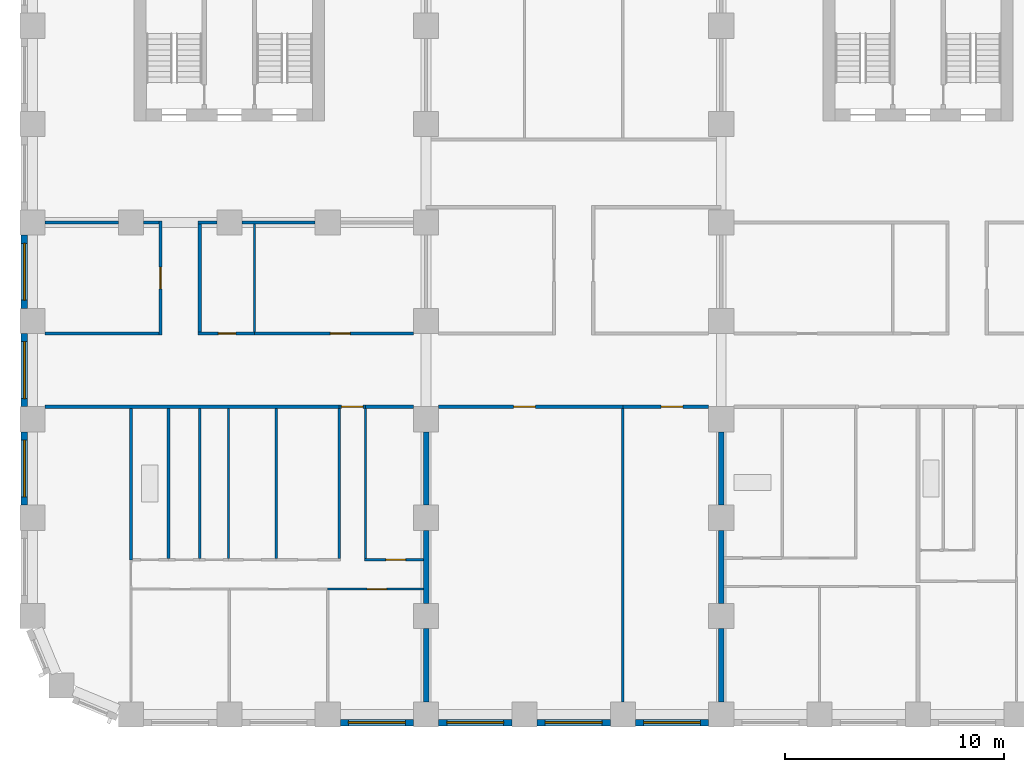
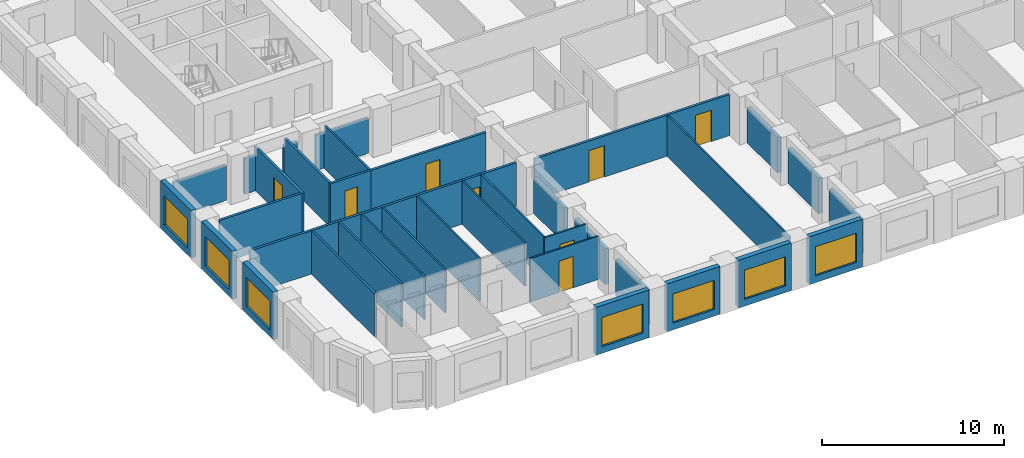
# One storey, part 3 of 13: 38 walls, 8 doors, 7 windows, 15 openings.
"""IFC4 building model written with IfcOpenShell, lengths in metres."""

import ifcopenshell
import ifcopenshell.guid

model = None  # the IFC model being written
_history = None  # IfcOwnerHistory: only IFC2X3 demands one
_inside = {}  # id of a spatial element -> (the spatial element, [elements in it])
_under = {}  # id of a project, library or spatial element -> (it, [spatial elements below it])
_declared = {}  # id of a project -> (the project, [libraries it declares])
_typed = {}  # id of a type object -> (the type object, [elements of that type])
_made_of = {}  # id of a material, layer set ... -> (it, [elements and type objects made of it])


def new_model(schema):
    """Start an empty IFC model of exactly this schema.

    Asked for "IFC4X3", IfcOpenShell would pick the latest addendum, in which some entities
    have other attributes; the version numbers below select the first issue.
    IFC2X3 requires an IfcOwnerHistory on every rooted entity: one is made here for all.
    """
    global model, _history
    if schema == "IFC4X3":
        model = ifcopenshell.file(schema_version=(4, 3, 0, 0))
    else:
        model = ifcopenshell.file(schema=schema)
    _inside.clear()
    _under.clear()
    _declared.clear()
    _typed.clear()
    _made_of.clear()
    _history = None
    if model.schema == "IFC2X3":
        org = make("IfcOrganization", Name="unknown")
        user = make(
            "IfcPersonAndOrganization",
            ThePerson=make("IfcPerson", FamilyName="unknown"),
            TheOrganization=org,
        )
        app = make(
            "IfcApplication",
            ApplicationDeveloper=org,
            Version="unknown",
            ApplicationFullName="unknown",
            ApplicationIdentifier="unknown",
        )
        _history = make(
            "IfcOwnerHistory",
            OwningUser=user,
            OwningApplication=app,
            ChangeAction="ADDED",
            CreationDate=0,
        )
    return model


def make(cls, **values):
    """One entity of the class cls with the attributes given. An attribute that is None is left unset."""
    return model.create_entity(
        cls, **{name: value for name, value in values.items() if value is not None}
    )


def rooted(cls, **values):
    """An entity with a GlobalId (a new one), such as an element, a storey or a relation."""
    return make(cls, GlobalId=ifcopenshell.guid.new(), OwnerHistory=_history, **values)


def si_unit(unit_type, name, prefix=None):
    """IfcSIUnit, for example si_unit("LENGTHUNIT", "METRE", prefix="MILLI")."""
    return make("IfcSIUnit", UnitType=unit_type, Prefix=prefix, Name=name)


def assignment(units):
    """IfcUnitAssignment: the units of a project."""
    return None if units is None else make("IfcUnitAssignment", Units=units)


def point(xyz):
    """IfcCartesianPoint."""
    return None if xyz is None else make("IfcCartesianPoint", Coordinates=xyz)


def direction(xyz):
    """IfcDirection."""
    return None if xyz is None else make("IfcDirection", DirectionRatios=xyz)


def frame(location, z_axis=None, x_axis=None):
    """IfcAxis2Placement3D, a coordinate frame: its origin and axes. An axis left out is left unset."""
    return make(
        "IfcAxis2Placement3D",
        Location=point(location),
        Axis=direction(z_axis),
        RefDirection=direction(x_axis),
    )


def frame_2d(location, x_axis=None):
    """IfcAxis2Placement2D, a coordinate frame in the plane: its origin and x axis."""
    return make(
        "IfcAxis2Placement2D", Location=point(location), RefDirection=direction(x_axis)
    )


def origin():
    """The frame at (0, 0, 0) with its axes left unset."""
    return frame((0.0, 0.0, 0.0))


def place(relative_to, where):
    """IfcLocalPlacement: puts the frame where relative to a parent placement (None: the world)."""
    return make(
        "IfcLocalPlacement", PlacementRelTo=relative_to, RelativePlacement=where
    )


def context(
    kind, dimensions, precision=None, world=None, true_north=None, identifier=None
):
    """IfcGeometricRepresentationContext, for example the 3D "Model" context."""
    return make(
        "IfcGeometricRepresentationContext",
        ContextIdentifier=identifier,
        ContextType=kind,
        CoordinateSpaceDimension=dimensions,
        Precision=precision,
        WorldCoordinateSystem=world,
        TrueNorth=true_north,
    )


def subcontext(parent, identifier, kind, view, scale=None):
    """IfcGeometricRepresentationSubContext, for example "Body" below "Model"."""
    return make(
        "IfcGeometricRepresentationSubContext",
        ContextIdentifier=identifier,
        ContextType=kind,
        ParentContext=parent,
        TargetScale=scale,
        TargetView=view,
    )


def project(units=None, contexts=None):
    """IfcProject with its units and contexts."""
    return rooted(
        "IfcProject",
        Name="project",
        RepresentationContexts=contexts,
        UnitsInContext=assignment(units),
    )


def spatial(cls, under=None, at=None, **own):
    """A site, building, storey or space (cls), placed at a placement, below another one or the project."""
    s = rooted(cls, ObjectPlacement=at, **own)
    if under is not None:
        _under.setdefault(under.id(), (under, []))[1].append(s)
    return s


def profile(cls, at=None, kind="AREA", **sizes):
    """A parametric profile (cls). Its sizes go by their IFC names, for example OverallWidth=200.0."""
    return make(cls, ProfileType=kind, Position=at, **sizes)


def rectangle(**sizes):
    """IfcRectangleProfileDef."""
    return profile("IfcRectangleProfileDef", **sizes)


def extrude(swept, where, along, depth):
    """IfcExtrudedAreaSolid: the profile swept, set in the frame where, extruded along a direction by depth."""
    return make(
        "IfcExtrudedAreaSolid",
        SweptArea=swept,
        Position=where,
        ExtrudedDirection=direction(along),
        Depth=depth,
    )


def shape(context_of_items, identifier, shape_type, items):
    """IfcShapeRepresentation: the items that make up one representation, for example the "Body"."""
    return make(
        "IfcShapeRepresentation",
        ContextOfItems=context_of_items,
        RepresentationIdentifier=identifier,
        RepresentationType=shape_type,
        Items=items,
    )


def material(Name=None, Category=None):
    """IfcMaterial."""
    return make("IfcMaterial", Name=Name, Category=Category)


def layer(
    of_material, thickness, ventilated=None, Name=None, Category=None, Priority=None
):
    """IfcMaterialLayer: one layer of a wall or slab, of a material (None: an air gap)."""
    return make(
        "IfcMaterialLayer",
        Material=of_material,
        LayerThickness=thickness,
        IsVentilated=ventilated,
        Name=Name,
        Category=Category,
        Priority=Priority,
    )


def layer_set(layers, Name=None):
    """IfcMaterialLayerSet."""
    return make("IfcMaterialLayerSet", MaterialLayers=layers, LayerSetName=Name)


def made_of(thing, what):
    """Note that an element or type object is made of a material, layer set ...; save() writes the relation."""
    if what is not None:
        _made_of.setdefault(what.id(), (what, []))[1].append(thing)
    return thing


def type_object(cls, material=None, **own):
    """A type object (cls), such as IfcWallType, which elements share."""
    return made_of(rooted(cls, **own), material)


def element(
    cls,
    number,
    at=None,
    inside=None,
    cuts=None,
    type_object=None,
    material=None,
    context=None,
    identifier="Body",
    shape_type=None,
    held_by="IfcProductDefinitionShape",
    body=None,
    shapes=None,
    **own,
):
    """One element of the class cls, such as IfcWall. Its Tag is "e" and its number.

    at: its placement. inside: the storey or other place that contains it. cuts: it is an
    opening in that element (IfcRelVoidsElement). A single representation is given by context,
    identifier, shape_type and body (its items); several are given by shapes. held_by: the class
    of the entity that holds the representations. save() writes the other relations.
    """
    e = rooted(cls, Tag="e%d" % number, ObjectPlacement=at, **own)
    if body is not None:
        shapes = [shape(context, identifier, shape_type, body)]
    if shapes is not None:
        e.Representation = make(held_by, Representations=shapes)
    if inside is not None:
        _inside.setdefault(inside.id(), (inside, []))[1].append(e)
    if cuts is not None:
        rooted(
            "IfcRelVoidsElement", RelatingBuildingElement=cuts, RelatedOpeningElement=e
        )
    if type_object is not None:
        _typed.setdefault(type_object.id(), (type_object, []))[1].append(e)
    return made_of(e, material)


def fill(opening, filler):
    """IfcRelFillsElement: the door or window that sits in an opening."""
    return rooted(
        "IfcRelFillsElement",
        RelatingOpeningElement=opening,
        RelatedBuildingElement=filler,
    )


def aggregate(whole, parts):
    """IfcRelAggregates: a whole, such as a stair, and the parts it consists of."""
    return rooted("IfcRelAggregates", RelatingObject=whole, RelatedObjects=parts)


def save(model, path):
    """Write the relations noted so far, then the file.

    IfcRelAggregates (storeys below a building ...), IfcRelContainedInSpatialStructure (elements
    in a storey), IfcRelDefinesByType, IfcRelAssociatesMaterial and IfcRelDeclares: one each for
    every whole, place, type object, material and project.
    """
    for whole, parts in _under.values():
        aggregate(whole, parts)
    for where, things in _inside.values():
        rooted(
            "IfcRelContainedInSpatialStructure",
            RelatedElements=things,
            RelatingStructure=where,
        )
    for kind, things in _typed.values():
        rooted("IfcRelDefinesByType", RelatedObjects=things, RelatingType=kind)
    for what, things in _made_of.values():
        rooted("IfcRelAssociatesMaterial", RelatedObjects=things, RelatingMaterial=what)
    for by, libraries in _declared.values():
        rooted("IfcRelDeclares", RelatingContext=by, RelatedDefinitions=libraries)
    model.write(path)


model = new_model("IFC4")

# Units and contexts
model_context = context("Model", 3, precision=1e-05, world=origin(), true_north=direction((0.0, 1.0)))
body_context = subcontext(model_context, "Body", "Model", "MODEL_VIEW")
ifc_project = project(units=[si_unit("LENGTHUNIT", "METRE"), si_unit("AREAUNIT", "SQUARE_METRE"), si_unit("VOLUMEUNIT", "CUBIC_METRE"), si_unit("PLANEANGLEUNIT", "RADIAN"), si_unit("MASSUNIT", "GRAM", prefix="KILO")], contexts=[model_context])

# Site, building, storey
site_placement = place(None, origin())
site = spatial("IfcSite", under=ifc_project, at=site_placement, CompositionType="ELEMENT")
building_placement = place(site_placement, origin())
building = spatial("IfcBuilding", under=site, at=building_placement, Name="Girih Gate Residences", CompositionType="ELEMENT")
storey_placement = place(building_placement, frame((0.0, 0.0, 105.60009765625)))
storey = spatial("IfcBuildingStorey", under=building, at=storey_placement, Name="L29", CompositionType="ELEMENT", Elevation=105.60009765625)

# Walls
ifc_material_1 = material(Name="Gypsum board on steel studs", Category="steel")
ifc_layer_1 = layer(ifc_material_1, 0.25)
ifc_layer_set_1 = layer_set([ifc_layer_1], Name="Acoustic separating wall 250 mm")
wall_type_1 = type_object("IfcWallType", Name="Acoustic separating wall 250 mm", PredefinedType="PARTITIONING", material=ifc_layer_set_1)
for number, where, z_axis, x_axis, name in (
    (1, (18.0, 5.074951171875, 0.0), (0.0, 0.0, 1.0), (0.0, 1.0, 0.0), "L29 partition"),
    (2, (18.0, 0.574951171875, 0.0), (0.0, 0.0, 1.0), (0.0, 1.0, 0.0), "L29 partition"),
    (3, (18.0, 9.574951171875, 0.0), (0.0, 0.0, 1.0), (0.0, 1.0, 0.0), "L29 partition"),
    (4, (31.5, 9.574951171875, 0.0), (0.0, 0.0, 1.0), (0.0, 1.0, 0.0), "L29 partition"),
    (5, (31.5, 0.574951171875, 0.0), (0.0, 0.0, 1.0), (0.0, 1.0, 0.0), "L29 partition"),
    (6, (31.5, 5.074951171875, 0.0), (0.0, 0.0, 1.0), (0.0, 1.0, 0.0), "L29 partition"),
):
    element("IfcWall", number, at=place(storey_placement, frame(where, z_axis=z_axis, x_axis=x_axis)), inside=storey, type_object=wall_type_1, Name=name, PredefinedType="PARTITIONING", context=body_context, shape_type="SweptSolid", body=[
        extrude(rectangle(XDim=3.35009765625, YDim=0.25, at=frame_2d((1.675048828125, 0.0))), origin(), (0.0, 0.0, 1.0), 2.3798828125),
    ])

# Wall, opening, door
ifc_layer_2 = layer(ifc_material_1, 0.14990234375)
ifc_layer_set_2 = layer_set([ifc_layer_2], Name="Compartment wall 150 mm")
wall_type_2 = type_object("IfcWallType", Name="Compartment wall 150 mm", PredefinedType="PARTITIONING", material=ifc_layer_set_2)
wall_1_placement = place(storey_placement, frame((15.22509765625, 14.074951171875, 0.0), z_axis=(0.0, 0.0, 1.0), x_axis=(-1.0, 0.0, 0.0)))
wall_1 = element("IfcWall", 7, at=wall_1_placement, inside=storey, type_object=wall_type_2, Name="L29 partition", PredefinedType="PARTITIONING", context=body_context, shape_type="SweptSolid", body=[
    extrude(rectangle(XDim=1.2001953125, YDim=0.14990234375, at=frame_2d((0.60009765625, 0.0))), origin(), (0.0, 0.0, 1.0), 2.89990234375),
])
opening_1_placement = place(wall_1_placement, frame((0.10009765625, 0.0, 0.0)))
opening_1 = element("IfcOpeningElement", 8, at=opening_1_placement, cuts=wall_1, Name="Opening A29-011", PredefinedType="OPENING", context=body_context, shape_type="SweptSolid", body=[
    extrude(rectangle(XDim=1.0, YDim=2.10009765625, at=frame_2d((0.5, 1.050048828125))), frame((0.0, 0.0849609375, 0.0), z_axis=(0.0, -1.0, 0.0), x_axis=(1.0, 0.0, 0.0)), (0.0, 0.0, 1.0), 0.169921875),
])
ifc_material_2 = material(Name="Timber, fire-rated core", Category="wood")
door_type_1 = type_object("IfcDoorType", Name="Flat entrance door 1000x2100 FD30S", OperationType="NOTDEFINED", PredefinedType="DOOR", material=ifc_material_2)
door_1_placement = place(opening_1_placement, origin())
door_1 = element("IfcDoor", 9, at=door_1_placement, inside=storey, type_object=door_type_1, Name="Door A29-011", OperationType="SINGLE_SWING_RIGHT", OverallHeight=2.10009765625, OverallWidth=1.0, PredefinedType="DOOR", context=body_context, shape_type="SweptSolid", body=[
    extrude(rectangle(XDim=1.0, YDim=2.10009765625, at=frame_2d((0.5, 1.050048828125))), frame((0.0, 0.02490234375, 0.0), z_axis=(0.0, -1.0, 0.0), x_axis=(1.0, 0.0, 0.0)), (0.0, 0.0, 1.0), 0.050048828125),
])
fill(opening_1, door_1)

# Walls
wall_2_placement = place(storey_placement, frame((15.22509765625, 14.074951171875, 0.0), z_axis=(0.0, 0.0, 1.0), x_axis=(1.0, 0.0, 0.0)))
element("IfcWall", 10, at=wall_2_placement, inside=storey, type_object=wall_type_2, Name="L29 partition", PredefinedType="PARTITIONING", context=body_context, shape_type="SweptSolid", body=[
    extrude(rectangle(XDim=2.199951171875, YDim=0.14990234375, at=frame_2d((1.10009765625, 0.0))), origin(), (0.0, 0.0, 1.0), 2.89990234375),
])
wall_3_placement = place(storey_placement, frame((0.574951171875, 14.074951171875, 0.0), z_axis=(0.0, 0.0, 1.0), x_axis=(1.0, 0.0, 0.0)))
element("IfcWall", 11, at=wall_3_placement, inside=storey, type_object=wall_type_2, Name="L29 partition", PredefinedType="PARTITIONING", context=body_context, shape_type="SweptSolid", body=[
    extrude(rectangle(XDim=13.449951171875, YDim=0.14990234375, at=frame_2d((6.72509765625, 0.0))), origin(), (0.0, 0.0, 1.0), 2.89990234375),
])

# Wall, opening, door
wall_4_placement = place(storey_placement, frame((27.0, 14.074951171875, 0.0), z_axis=(0.0, 0.0, 1.0), x_axis=(-1.0, 0.0, 0.0)))
wall_4 = element("IfcWall", 12, at=wall_4_placement, inside=storey, type_object=wall_type_2, Name="L29 partition", PredefinedType="PARTITIONING", context=body_context, shape_type="SweptSolid", body=[
    extrude(rectangle(XDim=8.425048828125, YDim=0.14990234375, at=frame_2d((4.21240234375, 0.0))), origin(), (0.0, 0.0, 1.0), 2.75),
])
opening_2_placement = place(wall_4_placement, frame((4.0, 0.0, 0.0)))
opening_2 = element("IfcOpeningElement", 13, at=opening_2_placement, cuts=wall_4, Name="Opening A29-046", PredefinedType="OPENING", context=body_context, shape_type="SweptSolid", body=[
    extrude(rectangle(XDim=1.0, YDim=2.10009765625, at=frame_2d((0.5, 1.050048828125))), frame((0.0, 0.0849609375, 0.0), z_axis=(0.0, -1.0, 0.0), x_axis=(1.0, 0.0, 0.0)), (0.0, 0.0, 1.0), 0.169921875),
])
door_type_2 = type_object("IfcDoorType", Name="Amenity room door 1000x2100 FD30S", OperationType="NOTDEFINED", PredefinedType="DOOR", material=ifc_material_2)
door_2_placement = place(opening_2_placement, origin())
door_2 = element("IfcDoor", 14, at=door_2_placement, inside=storey, type_object=door_type_2, Name="Door A29-046", OperationType="SINGLE_SWING_RIGHT", OverallHeight=2.10009765625, OverallWidth=1.0, PredefinedType="DOOR", context=body_context, shape_type="SweptSolid", body=[
    extrude(rectangle(XDim=1.0, YDim=2.10009765625, at=frame_2d((0.5, 1.050048828125))), frame((0.0, 0.02490234375, 0.0), z_axis=(0.0, -1.0, 0.0), x_axis=(1.0, 0.0, 0.0)), (0.0, 0.0, 1.0), 0.050048828125),
])
fill(opening_2, door_2)

wall_5_placement = place(storey_placement, frame((30.925048828125, 14.074951171875, 0.0), z_axis=(0.0, 0.0, 1.0), x_axis=(-1.0, 0.0, 0.0)))
wall_5 = element("IfcWall", 15, at=wall_5_placement, inside=storey, type_object=wall_type_2, Name="L29 partition", PredefinedType="PARTITIONING", context=body_context, shape_type="SweptSolid", body=[
    extrude(rectangle(XDim=3.925048828125, YDim=0.14990234375, at=frame_2d((1.96240234375, 0.0))), origin(), (0.0, 0.0, 1.0), 2.75),
])
opening_3_placement = place(wall_5_placement, frame((1.175048828125, 0.0, 0.0)))
opening_3 = element("IfcOpeningElement", 16, at=opening_3_placement, cuts=wall_5, Name="Opening A29-047", PredefinedType="OPENING", context=body_context, shape_type="SweptSolid", body=[
    extrude(rectangle(XDim=1.0, YDim=2.10009765625, at=frame_2d((0.5, 1.050048828125))), frame((0.0, 0.0849609375, 0.0), z_axis=(0.0, -1.0, 0.0), x_axis=(1.0, 0.0, 0.0)), (0.0, 0.0, 1.0), 0.169921875),
])
door_3_placement = place(opening_3_placement, origin())
door_3 = element("IfcDoor", 17, at=door_3_placement, inside=storey, type_object=door_type_2, Name="Door A29-047", OperationType="SINGLE_SWING_LEFT", OverallHeight=2.10009765625, OverallWidth=1.0, PredefinedType="DOOR", context=body_context, shape_type="SweptSolid", body=[
    extrude(rectangle(XDim=1.0, YDim=2.10009765625, at=frame_2d((0.5, 1.050048828125))), frame((0.0, 0.02490234375, 0.0), z_axis=(0.0, -1.0, 0.0), x_axis=(1.0, 0.0, 0.0)), (0.0, 0.0, 1.0), 0.050048828125),
])
fill(opening_3, door_3)

wall_6_placement = place(storey_placement, frame((10.14990234375, 17.425048828125, 0.0), z_axis=(0.0, 0.0, 1.0), x_axis=(1.0, 0.0, 0.0)))
wall_6 = element("IfcWall", 18, at=wall_6_placement, inside=storey, type_object=wall_type_2, Name="L29 partition", PredefinedType="PARTITIONING", context=body_context, shape_type="SweptSolid", body=[
    extrude(rectangle(XDim=7.275146484375, YDim=0.14990234375, at=frame_2d((3.6376953125, 0.0))), origin(), (0.0, 0.0, 1.0), 2.89990234375),
])
opening_4_placement = place(wall_6_placement, frame((3.47509765625, 0.0, 0.0)))
opening_4 = element("IfcOpeningElement", 19, at=opening_4_placement, cuts=wall_6, Name="Opening A29-051", PredefinedType="OPENING", context=body_context, shape_type="SweptSolid", body=[
    extrude(rectangle(XDim=0.89990234375, YDim=2.10009765625, at=frame_2d((0.449951171875, 1.050048828125))), frame((0.0, 0.0849609375, 0.0), z_axis=(0.0, -1.0, 0.0), x_axis=(1.0, 0.0, 0.0)), (0.0, 0.0, 1.0), 0.169921875),
])
ifc_material_3 = material(Name="Timber", Category="wood")
door_type_3 = type_object("IfcDoorType", Name="Service room door 900x2100", OperationType="NOTDEFINED", PredefinedType="DOOR", material=ifc_material_3)
door_4_placement = place(opening_4_placement, origin())
door_4 = element("IfcDoor", 20, at=door_4_placement, inside=storey, type_object=door_type_3, Name="Door A29-051", OperationType="SINGLE_SWING_RIGHT", OverallHeight=2.10009765625, OverallWidth=0.89990234375, PredefinedType="DOOR", context=body_context, shape_type="SweptSolid", body=[
    extrude(rectangle(XDim=0.89990234375, YDim=2.10009765625, at=frame_2d((0.449951171875, 1.050048828125))), frame((0.0, 0.02490234375, 0.0), z_axis=(0.0, -1.0, 0.0), x_axis=(1.0, 0.0, 0.0)), (0.0, 0.0, 1.0), 0.050048828125),
])
fill(opening_4, door_4)

wall_7_placement = place(storey_placement, frame((7.574951171875, 17.425048828125, 0.0), z_axis=(0.0, 0.0, 1.0), x_axis=(1.0, 0.0, 0.0)))
wall_7 = element("IfcWall", 21, at=wall_7_placement, inside=storey, type_object=wall_type_2, Name="L29 partition", PredefinedType="PARTITIONING", context=body_context, shape_type="SweptSolid", body=[
    extrude(rectangle(XDim=2.574951171875, YDim=0.14990234375, at=frame_2d((1.28759765625, 0.0))), origin(), (0.0, 0.0, 1.0), 2.89990234375),
])
opening_5_placement = place(wall_7_placement, frame((0.925048828125, 0.0, 0.0)))
opening_5 = element("IfcOpeningElement", 22, at=opening_5_placement, cuts=wall_7, Name="Opening A29-053", PredefinedType="OPENING", context=body_context, shape_type="SweptSolid", body=[
    extrude(rectangle(XDim=0.800048828125, YDim=2.10009765625, at=frame_2d((0.39990234375, 1.050048828125))), frame((0.0, 0.0849609375, 0.0), z_axis=(0.0, -1.0, 0.0), x_axis=(1.0, 0.0, 0.0)), (0.0, 0.0, 1.0), 0.169921875),
])
door_type_4 = type_object("IfcDoorType", Name="Bathroom door 800x2100", OperationType="NOTDEFINED", PredefinedType="DOOR", material=ifc_material_3)
door_5_placement = place(opening_5_placement, origin())
door_5 = element("IfcDoor", 23, at=door_5_placement, inside=storey, type_object=door_type_4, Name="Door A29-053", OperationType="SINGLE_SWING_RIGHT", OverallHeight=2.10009765625, OverallWidth=0.800048828125, PredefinedType="DOOR", context=body_context, shape_type="SweptSolid", body=[
    extrude(rectangle(XDim=0.800048828125, YDim=2.10009765625, at=frame_2d((0.39990234375, 1.050048828125))), frame((0.0, 0.02490234375, 0.0), z_axis=(0.0, -1.0, 0.0), x_axis=(1.0, 0.0, 0.0)), (0.0, 0.0, 1.0), 0.050048828125),
])
fill(opening_5, door_5)

# Walls
wall_8_placement = place(storey_placement, frame((0.574951171875, 17.425048828125, 0.0), z_axis=(0.0, 0.0, 1.0), x_axis=(1.0, 0.0, 0.0)))
element("IfcWall", 24, at=wall_8_placement, inside=storey, type_object=wall_type_2, Name="L29 partition", PredefinedType="PARTITIONING", context=body_context, shape_type="SweptSolid", body=[
    extrude(rectangle(XDim=5.199951171875, YDim=0.14990234375, at=frame_2d((2.60009765625, 0.0))), origin(), (0.0, 0.0, 1.0), 2.89990234375),
])
wall_9_placement = place(storey_placement, frame((9.574951171875, 22.5, 0.0), z_axis=(0.0, 0.0, 1.0), x_axis=(1.0, 0.0, 0.0)))
element("IfcWall", 25, at=wall_9_placement, inside=storey, type_object=wall_type_2, Name="L29 partition", PredefinedType="PARTITIONING", context=body_context, shape_type="SweptSolid", body=[
    extrude(rectangle(XDim=3.35009765625, YDim=0.14990234375, at=frame_2d((1.675048828125, 0.0))), origin(), (0.0, 0.0, 1.0), 2.3798828125),
])
wall_10_placement = place(storey_placement, frame((7.574951171875, 22.5, 0.0), z_axis=(0.0, 0.0, 1.0), x_axis=(1.0, 0.0, 0.0)))
element("IfcWall", 26, at=wall_10_placement, inside=storey, type_object=wall_type_2, Name="L29 partition", PredefinedType="PARTITIONING", context=body_context, shape_type="SweptSolid", body=[
    extrude(rectangle(XDim=0.85009765625, YDim=0.14990234375, at=frame_2d((0.425048828125, 0.0))), origin(), (0.0, 0.0, 1.0), 2.3798828125),
])
wall_11_placement = place(storey_placement, frame((5.074951171875, 22.5, 0.0), z_axis=(0.0, 0.0, 1.0), x_axis=(1.0, 0.0, 0.0)))
element("IfcWall", 27, at=wall_11_placement, inside=storey, type_object=wall_type_2, Name="L29 partition", PredefinedType="PARTITIONING", context=body_context, shape_type="SweptSolid", body=[
    extrude(rectangle(XDim=0.699951171875, YDim=0.14990234375, at=frame_2d((0.35009765625, 0.0))), origin(), (0.0, 0.0, 1.0), 2.3798828125),
])
wall_12_placement = place(storey_placement, frame((0.574951171875, 22.5, 0.0), z_axis=(0.0, 0.0, 1.0), x_axis=(1.0, 0.0, 0.0)))
element("IfcWall", 28, at=wall_12_placement, inside=storey, type_object=wall_type_2, Name="L29 partition", PredefinedType="PARTITIONING", context=body_context, shape_type="SweptSolid", body=[
    extrude(rectangle(XDim=3.35009765625, YDim=0.14990234375, at=frame_2d((1.675048828125, 0.0))), origin(), (0.0, 0.0, 1.0), 2.3798828125),
])
wall_13_placement = place(storey_placement, frame((7.64990234375, 17.5, 0.0), z_axis=(0.0, 0.0, 1.0), x_axis=(0.0, 1.0, 0.0)))
element("IfcWall", 29, at=wall_13_placement, inside=storey, type_object=wall_type_2, Name="L29 partition", PredefinedType="PARTITIONING", context=body_context, shape_type="SweptSolid", body=[
    extrude(rectangle(XDim=4.925048828125, YDim=0.14990234375, at=frame_2d((2.46240234375, 0.0))), origin(), (0.0, 0.0, 1.0), 2.89990234375),
])

# Wall, opening, door
wall_14_placement = place(storey_placement, frame((5.85009765625, 17.35009765625, 0.0), z_axis=(0.0, 0.0, 1.0), x_axis=(0.0, 1.0, 0.0)))
wall_14 = element("IfcWall", 30, at=wall_14_placement, inside=storey, type_object=wall_type_2, Name="L29 partition", PredefinedType="PARTITIONING", context=body_context, shape_type="SweptSolid", body=[
    extrude(rectangle(XDim=5.224853515625, YDim=0.14990234375, at=frame_2d((2.6123046875, 0.0))), origin(), (0.0, 0.0, 1.0), 2.89990234375),
])
opening_6_placement = place(wall_14_placement, frame((2.112548828125, 0.0, 0.0)))
opening_6 = element("IfcOpeningElement", 31, at=opening_6_placement, cuts=wall_14, Name="Opening A29-055", PredefinedType="OPENING", context=body_context, shape_type="SweptSolid", body=[
    extrude(rectangle(XDim=1.0, YDim=2.10009765625, at=frame_2d((0.5, 1.050048828125))), frame((0.0, 0.0849609375, 0.0), z_axis=(0.0, -1.0, 0.0), x_axis=(1.0, 0.0, 0.0)), (0.0, 0.0, 1.0), 0.169921875),
])
door_6_placement = place(opening_6_placement, origin())
door_6 = element("IfcDoor", 32, at=door_6_placement, inside=storey, type_object=door_type_2, Name="Door A29-055", OperationType="SINGLE_SWING_LEFT", OverallHeight=2.10009765625, OverallWidth=1.0, PredefinedType="DOOR", context=body_context, shape_type="SweptSolid", body=[
    extrude(rectangle(XDim=1.0, YDim=2.10009765625, at=frame_2d((0.5, 1.050048828125))), frame((0.0, 0.02490234375, 0.0), z_axis=(0.0, -1.0, 0.0), x_axis=(1.0, 0.0, 0.0)), (0.0, 0.0, 1.0), 0.050048828125),
])
fill(opening_6, door_6)

ifc_layer_3 = layer(ifc_material_1, 0.10009765625)
ifc_layer_set_3 = layer_set([ifc_layer_3], Name="Partition 100 mm")
wall_type_3 = type_object("IfcWallType", Name="Partition 100 mm", PredefinedType="PARTITIONING", material=ifc_layer_set_3)
wall_15_placement = place(storey_placement, frame((17.875, 5.735107421875, 0.0), z_axis=(0.0, 0.0, 1.0), x_axis=(-1.0, 0.0, 0.0)))
wall_15 = element("IfcWall", 33, at=wall_15_placement, inside=storey, type_object=wall_type_3, Name="L29 partition", PredefinedType="PARTITIONING", context=body_context, shape_type="SweptSolid", body=[
    extrude(rectangle(XDim=4.375, YDim=0.10009765625, at=frame_2d((2.1875, 0.0))), origin(), (0.0, 0.0, 1.0), 2.89990234375),
])
opening_7_placement = place(wall_15_placement, frame((1.675048828125, 0.0, 0.0)))
opening_7 = element("IfcOpeningElement", 34, at=opening_7_placement, cuts=wall_15, Name="Opening A29-004", PredefinedType="OPENING", context=body_context, shape_type="SweptSolid", body=[
    extrude(rectangle(XDim=0.89990234375, YDim=2.10009765625, at=frame_2d((0.449951171875, 1.050048828125))), frame((0.0, 0.06005859375, 0.0), z_axis=(0.0, -1.0, 0.0), x_axis=(1.0, 0.0, 0.0)), (0.0, 0.0, 1.0), 0.1201171875),
])
door_type_5 = type_object("IfcDoorType", Name="Bedroom door 900x2100", OperationType="NOTDEFINED", PredefinedType="DOOR", material=ifc_material_3)
door_7_placement = place(opening_7_placement, origin())
door_7 = element("IfcDoor", 35, at=door_7_placement, inside=storey, type_object=door_type_5, Name="Door A29-004", OperationType="SINGLE_SWING_LEFT", OverallHeight=2.10009765625, OverallWidth=0.89990234375, PredefinedType="DOOR", context=body_context, shape_type="SweptSolid", body=[
    extrude(rectangle(XDim=0.89990234375, YDim=2.10009765625, at=frame_2d((0.449951171875, 1.050048828125))), frame((0.0, 0.02490234375, 0.0), z_axis=(0.0, -1.0, 0.0), x_axis=(1.0, 0.0, 0.0)), (0.0, 0.0, 1.0), 0.050048828125),
])
fill(opening_7, door_7)

# Walls
for number, where, z_axis, x_axis, name in (
    (36, (8.965087890625, 7.125, 0.0), (0.0, 0.0, 1.0), (0.0, 1.0, 0.0), "L29 partition"),
    (37, (11.14501953125, 7.125, 0.0), (0.0, 0.0, 1.0), (0.0, 1.0, 0.0), "L29 partition"),
    (38, (15.22509765625, 7.125, 0.0), (0.0, 0.0, 1.0), (0.0, 1.0, 0.0), "L29 partition"),
):
    element("IfcWall", number, at=place(storey_placement, frame(where, z_axis=z_axis, x_axis=x_axis)), inside=storey, type_object=wall_type_3, Name=name, PredefinedType="PARTITIONING", context=body_context, shape_type="SweptSolid", body=[
        extrude(rectangle(XDim=6.875, YDim=0.10009765625, at=frame_2d((3.4375, 0.0))), origin(), (0.0, 0.0, 1.0), 2.89990234375),
    ])

# Wall, opening, door
wall_16_placement = place(storey_placement, frame((15.175048828125, 7.074951171875, 0.0), z_axis=(0.0, 0.0, 1.0), x_axis=(1.0, 0.0, 0.0)))
wall_16 = element("IfcWall", 39, at=wall_16_placement, inside=storey, type_object=wall_type_3, Name="L29 partition", PredefinedType="PARTITIONING", context=body_context, shape_type="SweptSolid", body=[
    extrude(rectangle(XDim=2.699951171875, YDim=0.10009765625, at=frame_2d((1.35009765625, 0.0))), origin(), (0.0, 0.0, 1.0), 2.89990234375),
])
opening_8_placement = place(wall_16_placement, frame((0.987548828125, 0.0, 0.0)))
opening_8 = element("IfcOpeningElement", 40, at=opening_8_placement, cuts=wall_16, Name="Opening A29-006", PredefinedType="OPENING", context=body_context, shape_type="SweptSolid", body=[
    extrude(rectangle(XDim=0.89990234375, YDim=2.10009765625, at=frame_2d((0.449951171875, 1.050048828125))), frame((0.0, 0.06005859375, 0.0), z_axis=(0.0, -1.0, 0.0), x_axis=(1.0, 0.0, 0.0)), (0.0, 0.0, 1.0), 0.1201171875),
])
door_type_6 = type_object("IfcDoorType", Name="Kitchen door 900x2100", OperationType="NOTDEFINED", PredefinedType="DOOR", material=ifc_material_3)
door_8_placement = place(opening_8_placement, origin())
door_8 = element("IfcDoor", 41, at=door_8_placement, inside=storey, type_object=door_type_6, Name="Door A29-006", OperationType="SINGLE_SWING_RIGHT", OverallHeight=2.10009765625, OverallWidth=0.89990234375, PredefinedType="DOOR", context=body_context, shape_type="SweptSolid", body=[
    extrude(rectangle(XDim=0.89990234375, YDim=2.10009765625, at=frame_2d((0.449951171875, 1.050048828125))), frame((0.0, 0.02490234375, 0.0), z_axis=(0.0, -1.0, 0.0), x_axis=(1.0, 0.0, 0.0)), (0.0, 0.0, 1.0), 0.050048828125),
])
fill(opening_8, door_8)

# Walls
for number, where, z_axis, x_axis, name in (
    (42, (14.02490234375, 7.125, 0.0), (0.0, 0.0, 1.0), (0.0, 1.0, 0.0), "L29 partition"),
    (43, (7.64697265625, 7.125, 0.0), (0.0, 0.0, 1.0), (0.0, 1.0, 0.0), "L29 partition"),
):
    element("IfcWall", number, at=place(storey_placement, frame(where, z_axis=z_axis, x_axis=x_axis)), inside=storey, type_object=wall_type_3, Name=name, PredefinedType="PARTITIONING", context=body_context, shape_type="SweptSolid", body=[
        extrude(rectangle(XDim=6.875, YDim=0.10009765625, at=frame_2d((3.4375, 0.0))), origin(), (0.0, 0.0, 1.0), 2.89990234375),
    ])
wall_17_placement = place(storey_placement, frame((27.0, 0.574951171875, 0.0), z_axis=(0.0, 0.0, 1.0), x_axis=(0.0, 1.0, 0.0)))
element("IfcWall", 44, at=wall_17_placement, inside=storey, type_object=wall_type_3, Name="L29 partition", PredefinedType="PARTITIONING", context=body_context, shape_type="SweptSolid", body=[
    extrude(rectangle(XDim=13.425048828125, YDim=0.10009765625, at=frame_2d((6.71240234375, 0.0))), origin(), (0.0, 0.0, 1.0), 2.75),
])
wall_18_placement = place(storey_placement, frame((10.14990234375, 17.5, 0.0), z_axis=(0.0, 0.0, 1.0), x_axis=(0.0, 1.0, 0.0)))
element("IfcWall", 45, at=wall_18_placement, inside=storey, type_object=wall_type_3, Name="L29 partition", PredefinedType="PARTITIONING", context=body_context, shape_type="SweptSolid", body=[
    extrude(rectangle(XDim=4.925048828125, YDim=0.10009765625, at=frame_2d((2.46240234375, 0.0))), origin(), (0.0, 0.0, 1.0), 2.89990234375),
])

# Wall, opening, window
ifc_material_4 = material(Name="Precast concrete C50/60", Category="concrete")
ifc_layer_4 = layer(ifc_material_4, 0.080078125, Name="Outer leaf")
ifc_material_5 = material(Name="Rigid PIR insulation")
ifc_layer_5 = layer(ifc_material_5, 0.14990234375, Name="Insulation")
ifc_material_6 = material(Name="Precast concrete C40/50", Category="concrete")
ifc_layer_6 = layer(ifc_material_6, 0.070068359375, Name="Inner leaf")
ifc_layer_set_4 = layer_set([ifc_layer_4, ifc_layer_5, ifc_layer_6], Name="Precast concrete C50/60 external wall 300")
wall_type_4 = type_object("IfcWallType", Name="Precast concrete C50/60 external wall 300", PredefinedType="SOLIDWALL", material=ifc_layer_set_4)
wall_19_placement = place(storey_placement, frame((17.425048828125, -0.375, 0.0), z_axis=(0.0, 0.0, 1.0), x_axis=(-1.0, 0.0, 0.0)))
wall_19 = element("IfcWall", 46, at=wall_19_placement, inside=storey, type_object=wall_type_4, Name="External wall S0045_0000.2", PredefinedType="SOLIDWALL", context=body_context, shape_type="SweptSolid", body=[
    extrude(rectangle(XDim=3.35009765625, YDim=0.300048828125, at=frame_2d((1.675048828125, 0.0))), origin(), (0.0, 0.0, 1.0), 3.199951171875),
])
opening_9_placement = place(wall_19_placement, frame((0.375, 0.0, 0.449951171875)))
opening_9 = element("IfcOpeningElement", 47, at=opening_9_placement, cuts=wall_19, Name="Opening W-1A", PredefinedType="OPENING", context=body_context, shape_type="SweptSolid", body=[
    extrude(rectangle(XDim=2.60009765625, YDim=1.949951171875, at=frame_2d((1.300048828125, 0.97509765625))), frame((0.0, 0.159912109375, 0.0), z_axis=(0.0, -1.0, 0.0), x_axis=(1.0, 0.0, 0.0)), (0.0, 0.0, 1.0), 0.320068359375),
])
ifc_material_7 = material(Name="Double glazing in aluminium frame", Category="aluminium")
window_type = type_object("IfcWindowType", Name="Window W-1A 2600x1950", PartitioningType="SINGLE_PANEL", PredefinedType="WINDOW", material=ifc_material_7)
window_1_placement = place(opening_9_placement, origin())
window_1 = element("IfcWindow", 48, at=window_1_placement, inside=storey, type_object=window_type, Name="Window W-1A S0045_0000.2", OverallHeight=1.949951171875, OverallWidth=2.60009765625, PartitioningType="SINGLE_PANEL", PredefinedType="WINDOW", context=body_context, shape_type="SweptSolid", body=[
    extrude(rectangle(XDim=2.60009765625, YDim=1.949951171875, at=frame_2d((1.300048828125, 0.97509765625))), frame((0.0, 0.030029296875, 0.0), z_axis=(0.0, -1.0, 0.0), x_axis=(1.0, 0.0, 0.0)), (0.0, 0.0, 1.0), 0.06005859375),
])
fill(opening_9, window_1)

wall_20_placement = place(storey_placement, frame((21.925048828125, -0.375, 0.0), z_axis=(0.0, 0.0, 1.0), x_axis=(-1.0, 0.0, 0.0)))
wall_20 = element("IfcWall", 49, at=wall_20_placement, inside=storey, type_object=wall_type_4, Name="External wall S0045_0000.3", PredefinedType="SOLIDWALL", context=body_context, shape_type="SweptSolid", body=[
    extrude(rectangle(XDim=3.35009765625, YDim=0.300048828125, at=frame_2d((1.675048828125, 0.0))), origin(), (0.0, 0.0, 1.0), 3.199951171875),
])
opening_10_placement = place(wall_20_placement, frame((0.375, 0.0, 0.449951171875)))
opening_10 = element("IfcOpeningElement", 50, at=opening_10_placement, cuts=wall_20, Name="Opening W-1A", PredefinedType="OPENING", context=body_context, shape_type="SweptSolid", body=[
    extrude(rectangle(XDim=2.60009765625, YDim=1.949951171875, at=frame_2d((1.300048828125, 0.97509765625))), frame((0.0, 0.159912109375, 0.0), z_axis=(0.0, -1.0, 0.0), x_axis=(1.0, 0.0, 0.0)), (0.0, 0.0, 1.0), 0.320068359375),
])
window_2_placement = place(opening_10_placement, origin())
window_2 = element("IfcWindow", 51, at=window_2_placement, inside=storey, type_object=window_type, Name="Window W-1A S0045_0000.3", OverallHeight=1.949951171875, OverallWidth=2.60009765625, PartitioningType="SINGLE_PANEL", PredefinedType="WINDOW", context=body_context, shape_type="SweptSolid", body=[
    extrude(rectangle(XDim=2.60009765625, YDim=1.949951171875, at=frame_2d((1.300048828125, 0.97509765625))), frame((0.0, 0.030029296875, 0.0), z_axis=(0.0, -1.0, 0.0), x_axis=(1.0, 0.0, 0.0)), (0.0, 0.0, 1.0), 0.06005859375),
])
fill(opening_10, window_2)

wall_21_placement = place(storey_placement, frame((26.425048828125, -0.375, 0.0), z_axis=(0.0, 0.0, 1.0), x_axis=(-1.0, 0.0, 0.0)))
wall_21 = element("IfcWall", 52, at=wall_21_placement, inside=storey, type_object=wall_type_4, Name="External wall S0045_0000.4", PredefinedType="SOLIDWALL", context=body_context, shape_type="SweptSolid", body=[
    extrude(rectangle(XDim=3.35009765625, YDim=0.300048828125, at=frame_2d((1.675048828125, 0.0))), origin(), (0.0, 0.0, 1.0), 3.199951171875),
])
opening_11_placement = place(wall_21_placement, frame((0.375, 0.0, 0.449951171875)))
opening_11 = element("IfcOpeningElement", 53, at=opening_11_placement, cuts=wall_21, Name="Opening W-1A", PredefinedType="OPENING", context=body_context, shape_type="SweptSolid", body=[
    extrude(rectangle(XDim=2.60009765625, YDim=1.949951171875, at=frame_2d((1.300048828125, 0.97509765625))), frame((0.0, 0.159912109375, 0.0), z_axis=(0.0, -1.0, 0.0), x_axis=(1.0, 0.0, 0.0)), (0.0, 0.0, 1.0), 0.320068359375),
])
window_3_placement = place(opening_11_placement, origin())
window_3 = element("IfcWindow", 54, at=window_3_placement, inside=storey, type_object=window_type, Name="Window W-1A S0045_0000.4", OverallHeight=1.949951171875, OverallWidth=2.60009765625, PartitioningType="SINGLE_PANEL", PredefinedType="WINDOW", context=body_context, shape_type="SweptSolid", body=[
    extrude(rectangle(XDim=2.60009765625, YDim=1.949951171875, at=frame_2d((1.300048828125, 0.97509765625))), frame((0.0, 0.030029296875, 0.0), z_axis=(0.0, -1.0, 0.0), x_axis=(1.0, 0.0, 0.0)), (0.0, 0.0, 1.0), 0.06005859375),
])
fill(opening_11, window_3)

wall_22_placement = place(storey_placement, frame((30.925048828125, -0.375, 0.0), z_axis=(0.0, 0.0, 1.0), x_axis=(-1.0, 0.0, 0.0)))
wall_22 = element("IfcWall", 55, at=wall_22_placement, inside=storey, type_object=wall_type_4, Name="External wall S0045_0000.5", PredefinedType="SOLIDWALL", context=body_context, shape_type="SweptSolid", body=[
    extrude(rectangle(XDim=3.35009765625, YDim=0.300048828125, at=frame_2d((1.675048828125, 0.0))), origin(), (0.0, 0.0, 1.0), 3.199951171875),
])
opening_12_placement = place(wall_22_placement, frame((0.375, 0.0, 0.449951171875)))
opening_12 = element("IfcOpeningElement", 56, at=opening_12_placement, cuts=wall_22, Name="Opening W-1A", PredefinedType="OPENING", context=body_context, shape_type="SweptSolid", body=[
    extrude(rectangle(XDim=2.60009765625, YDim=1.949951171875, at=frame_2d((1.300048828125, 0.97509765625))), frame((0.0, 0.159912109375, 0.0), z_axis=(0.0, -1.0, 0.0), x_axis=(1.0, 0.0, 0.0)), (0.0, 0.0, 1.0), 0.320068359375),
])
window_4_placement = place(opening_12_placement, origin())
window_4 = element("IfcWindow", 57, at=window_4_placement, inside=storey, type_object=window_type, Name="Window W-1A S0045_0000.5", OverallHeight=1.949951171875, OverallWidth=2.60009765625, PartitioningType="SINGLE_PANEL", PredefinedType="WINDOW", context=body_context, shape_type="SweptSolid", body=[
    extrude(rectangle(XDim=2.60009765625, YDim=1.949951171875, at=frame_2d((1.300048828125, 0.97509765625))), frame((0.0, 0.030029296875, 0.0), z_axis=(0.0, -1.0, 0.0), x_axis=(1.0, 0.0, 0.0)), (0.0, 0.0, 1.0), 0.06005859375),
])
fill(opening_12, window_4)

wall_23_placement = place(storey_placement, frame((-0.375, 18.574951171875, 0.0), z_axis=(0.0, 0.0, 1.0), x_axis=(0.0, 1.0, 0.0)))
wall_23 = element("IfcWall", 58, at=wall_23_placement, inside=storey, type_object=wall_type_4, Name="External wall W0000_0450.5", PredefinedType="SOLIDWALL", context=body_context, shape_type="SweptSolid", body=[
    extrude(rectangle(XDim=3.35009765625, YDim=0.300048828125, at=frame_2d((1.675048828125, 0.0))), origin(), (0.0, 0.0, 1.0), 3.199951171875),
])
opening_13_placement = place(wall_23_placement, frame((0.375, 0.0, 0.449951171875)))
opening_13 = element("IfcOpeningElement", 59, at=opening_13_placement, cuts=wall_23, Name="Opening W-1A", PredefinedType="OPENING", context=body_context, shape_type="SweptSolid", body=[
    extrude(rectangle(XDim=2.60009765625, YDim=1.949951171875, at=frame_2d((1.300048828125, 0.97509765625))), frame((0.0, 0.159912109375, 0.0), z_axis=(0.0, -1.0, 0.0), x_axis=(1.0, 0.0, 0.0)), (0.0, 0.0, 1.0), 0.320068359375),
])
window_5_placement = place(opening_13_placement, origin())
window_5 = element("IfcWindow", 60, at=window_5_placement, inside=storey, type_object=window_type, Name="Window W-1A W0000_0450.5", OverallHeight=1.949951171875, OverallWidth=2.60009765625, PartitioningType="SINGLE_PANEL", PredefinedType="WINDOW", context=body_context, shape_type="SweptSolid", body=[
    extrude(rectangle(XDim=2.60009765625, YDim=1.949951171875, at=frame_2d((1.300048828125, 0.97509765625))), frame((0.0, 0.030029296875, 0.0), z_axis=(0.0, -1.0, 0.0), x_axis=(1.0, 0.0, 0.0)), (0.0, 0.0, 1.0), 0.06005859375),
])
fill(opening_13, window_5)

wall_24_placement = place(storey_placement, frame((-0.375, 14.074951171875, 0.0), z_axis=(0.0, 0.0, 1.0), x_axis=(0.0, 1.0, 0.0)))
wall_24 = element("IfcWall", 61, at=wall_24_placement, inside=storey, type_object=wall_type_4, Name="External wall W0000_0450.6", PredefinedType="SOLIDWALL", context=body_context, shape_type="SweptSolid", body=[
    extrude(rectangle(XDim=3.35009765625, YDim=0.300048828125, at=frame_2d((1.675048828125, 0.0))), origin(), (0.0, 0.0, 1.0), 3.199951171875),
])
opening_14_placement = place(wall_24_placement, frame((0.375, 0.0, 0.449951171875)))
opening_14 = element("IfcOpeningElement", 62, at=opening_14_placement, cuts=wall_24, Name="Opening W-1A", PredefinedType="OPENING", context=body_context, shape_type="SweptSolid", body=[
    extrude(rectangle(XDim=2.60009765625, YDim=1.949951171875, at=frame_2d((1.300048828125, 0.97509765625))), frame((0.0, 0.159912109375, 0.0), z_axis=(0.0, -1.0, 0.0), x_axis=(1.0, 0.0, 0.0)), (0.0, 0.0, 1.0), 0.320068359375),
])
window_6_placement = place(opening_14_placement, origin())
window_6 = element("IfcWindow", 63, at=window_6_placement, inside=storey, type_object=window_type, Name="Window W-1A W0000_0450.6", OverallHeight=1.949951171875, OverallWidth=2.60009765625, PartitioningType="SINGLE_PANEL", PredefinedType="WINDOW", context=body_context, shape_type="SweptSolid", body=[
    extrude(rectangle(XDim=2.60009765625, YDim=1.949951171875, at=frame_2d((1.300048828125, 0.97509765625))), frame((0.0, 0.030029296875, 0.0), z_axis=(0.0, -1.0, 0.0), x_axis=(1.0, 0.0, 0.0)), (0.0, 0.0, 1.0), 0.06005859375),
])
fill(opening_14, window_6)

wall_25_placement = place(storey_placement, frame((-0.375, 9.574951171875, 0.0), z_axis=(0.0, 0.0, 1.0), x_axis=(0.0, 1.0, 0.0)))
wall_25 = element("IfcWall", 64, at=wall_25_placement, inside=storey, type_object=wall_type_4, Name="External wall W0000_0450.7", PredefinedType="SOLIDWALL", context=body_context, shape_type="SweptSolid", body=[
    extrude(rectangle(XDim=3.35009765625, YDim=0.300048828125, at=frame_2d((1.675048828125, 0.0))), origin(), (0.0, 0.0, 1.0), 3.199951171875),
])
opening_15_placement = place(wall_25_placement, frame((0.375, 0.0, 0.449951171875)))
opening_15 = element("IfcOpeningElement", 65, at=opening_15_placement, cuts=wall_25, Name="Opening W-1A", PredefinedType="OPENING", context=body_context, shape_type="SweptSolid", body=[
    extrude(rectangle(XDim=2.60009765625, YDim=1.949951171875, at=frame_2d((1.300048828125, 0.97509765625))), frame((0.0, 0.159912109375, 0.0), z_axis=(0.0, -1.0, 0.0), x_axis=(1.0, 0.0, 0.0)), (0.0, 0.0, 1.0), 0.320068359375),
])
window_7_placement = place(opening_15_placement, origin())
window_7 = element("IfcWindow", 66, at=window_7_placement, inside=storey, type_object=window_type, Name="Window W-1A W0000_0450.7", OverallHeight=1.949951171875, OverallWidth=2.60009765625, PartitioningType="SINGLE_PANEL", PredefinedType="WINDOW", context=body_context, shape_type="SweptSolid", body=[
    extrude(rectangle(XDim=2.60009765625, YDim=1.949951171875, at=frame_2d((1.300048828125, 0.97509765625))), frame((0.0, 0.030029296875, 0.0), z_axis=(0.0, -1.0, 0.0), x_axis=(1.0, 0.0, 0.0)), (0.0, 0.0, 1.0), 0.06005859375),
])
fill(opening_15, window_7)

# Walls
ifc_layer_7 = layer(ifc_material_1, 0.125)
ifc_layer_set_5 = layer_set([ifc_layer_7], Name="Wet room wall 125 mm")
wall_type_5 = type_object("IfcWallType", Name="Wet room wall 125 mm", PredefinedType="PARTITIONING", material=ifc_layer_set_5)
wall_26_placement = place(storey_placement, frame((4.5, 7.074951171875, 0.0), z_axis=(0.0, 0.0, 1.0), x_axis=(0.0, 1.0, 0.0)))
element("IfcWall", 67, at=wall_26_placement, inside=storey, type_object=wall_type_5, Name="L29 partition", PredefinedType="PARTITIONING", context=body_context, shape_type="SweptSolid", body=[
    extrude(rectangle(XDim=6.925048828125, YDim=0.125, at=frame_2d((3.46240234375, 0.0))), origin(), (0.0, 0.0, 1.0), 2.89990234375),
])
wall_27_placement = place(storey_placement, frame((6.217041015625, 7.137451171875, 0.0), z_axis=(0.0, 0.0, 1.0), x_axis=(0.0, 1.0, 0.0)))
element("IfcWall", 68, at=wall_27_placement, inside=storey, type_object=wall_type_5, Name="L29 partition", PredefinedType="PARTITIONING", context=body_context, shape_type="SweptSolid", body=[
    extrude(rectangle(XDim=6.862548828125, YDim=0.125, at=frame_2d((3.43115234375, 0.0))), origin(), (0.0, 0.0, 1.0), 2.89990234375),
])

save(model, "model.ifc")
